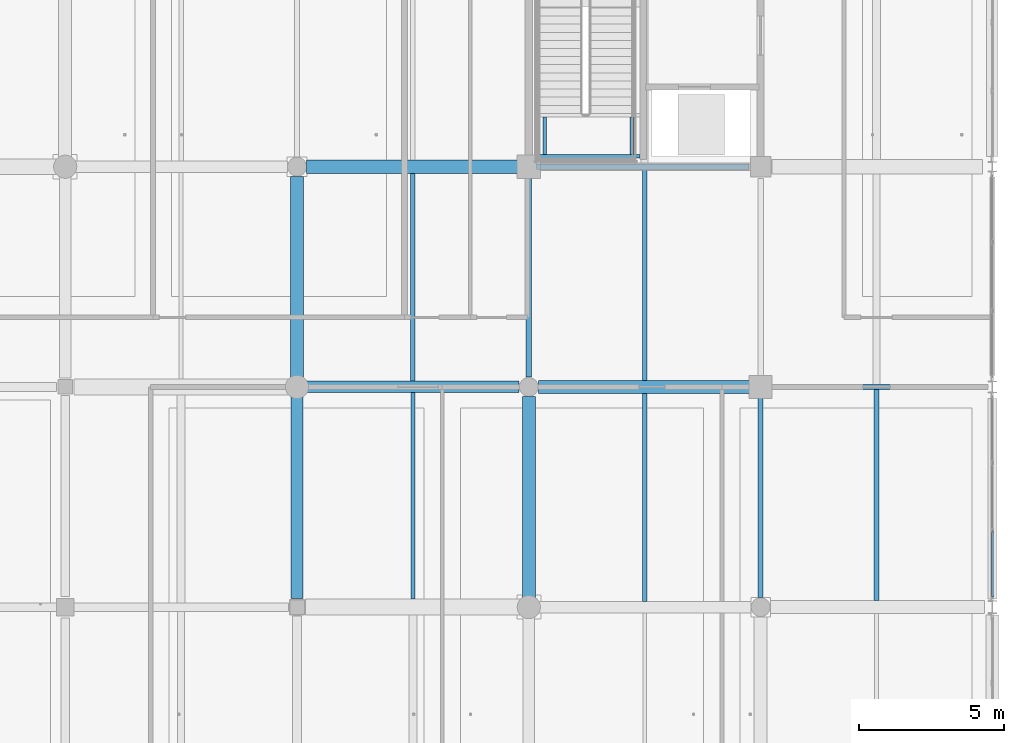
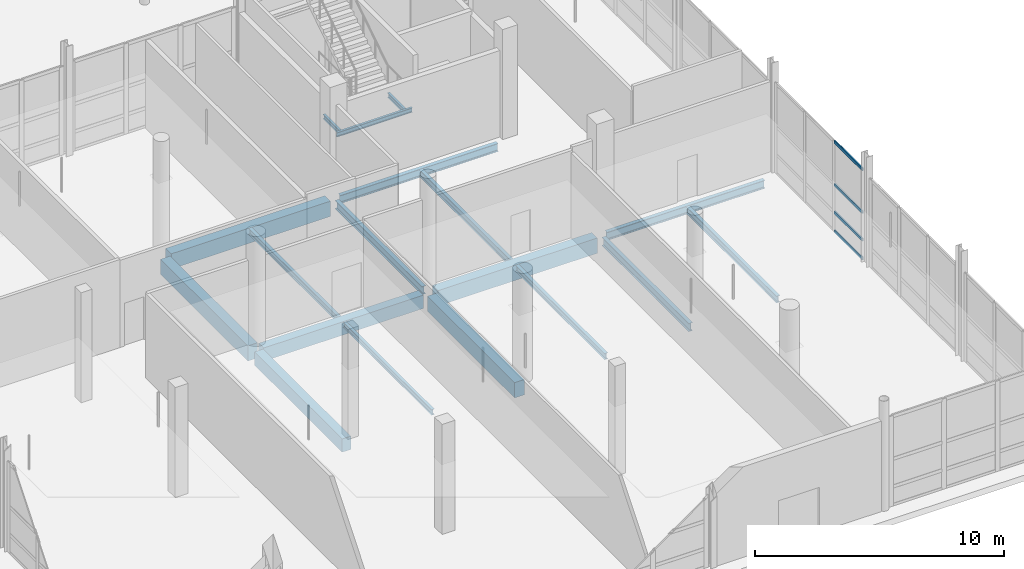
# One storey, part 41 of 126: 18 beams, 4 members, 1 element without a shape of its own.
"""IFC4 building model written with IfcOpenShell, lengths in metres."""

from ifc_helpers import new_model, si_unit, direction, frame, origin, origin_2d, place, context, subcontext, project, spatial, rectangle, hollow_rectangle, i_section, extrude, material, material_profile, profile_set, type_object, element, aggregate, save


model = new_model("IFC4")

# Units and contexts
model_context = context("Model", 3, precision=1e-05, world=origin(), true_north=direction((0.0, 1.0)))
body_context = subcontext(model_context, "Body", "Model", "MODEL_VIEW")
ifc_project = project(units=[si_unit("LENGTHUNIT", "METRE"), si_unit("AREAUNIT", "SQUARE_METRE"), si_unit("VOLUMEUNIT", "CUBIC_METRE"), si_unit("PLANEANGLEUNIT", "RADIAN"), si_unit("MASSUNIT", "GRAM", prefix="KILO")], contexts=[model_context])

# Site, building, storey
site_placement = place(None, origin())
site = spatial("IfcSite", under=ifc_project, at=site_placement, CompositionType="ELEMENT")
building_placement = place(site_placement, origin())
building = spatial("IfcBuilding", under=site, at=building_placement, Name="Khelvaren Railside Concert Hall", CompositionType="ELEMENT")
storey_placement = place(building_placement, origin())
storey = spatial("IfcBuildingStorey", under=building, at=storey_placement, Name="L00", CompositionType="ELEMENT", Elevation=0.0)

# Beams
ifc_material_1 = material(Name="Steel S355", Category="steel")
ifc_material_profile_1 = material_profile(ifc_material_1, i_section(OverallWidth=0.179931640625, OverallDepth=0.39990234375, WebThickness=0.008544921875, FlangeThickness=0.013427734375, FilletRadius=0.02099609375, at=origin_2d()), Name="IPE 400")
ifc_profile_set_1 = profile_set([ifc_material_profile_1], Name="Steel S355")
beam_type_1 = type_object("IfcBeamType", Name="BM29", PredefinedType="BEAM", material=ifc_profile_set_1)
for number, where, z_axis, x_axis, name in (
    (1, (176.27294921875, 22.800048828125, -0.52001953125), (1.0, 0.0, 0.0), (0.0, 1.0, 0.0), "V2 L00 Beam X4.5"),
    (2, (168.27294921875, 30.39990234375, -0.52001953125), (1.0, 0.0, 0.0), (0.0, 1.0, 0.0), "V2 L00 Beam X5.4"),
):
    element("IfcBeam", number, at=place(storey_placement, frame(where, z_axis=z_axis, x_axis=x_axis)), inside=storey, type_object=beam_type_1, Name=name, PredefinedType="BEAM", context=body_context, shape_type="SweptSolid", body=[
        extrude(i_section(OverallWidth=0.179931640625, OverallDepth=0.39990234375, WebThickness=0.008544921875, FlangeThickness=0.013427734375, FilletRadius=0.02099609375, at=origin_2d()), origin(), (0.0, 0.0, 1.0), 7.3271484375),
    ])
beam_1_placement = place(storey_placement, frame((168.0, 23.135986328125, -0.52001953125), z_axis=(0.0, 1.0, 0.0), x_axis=(-1.0, 0.0, 0.0)))
element("IfcBeam", 3, at=beam_1_placement, inside=storey, type_object=beam_type_1, Name="V2 L00 Beam Y4.4", PredefinedType="BEAM", context=body_context, shape_type="SweptSolid", body=[
    extrude(i_section(OverallWidth=0.179931640625, OverallDepth=0.39990234375, WebThickness=0.008544921875, FlangeThickness=0.013427734375, FilletRadius=0.02099609375, at=origin_2d()), origin(), (0.0, 0.0, 1.0), 6.990966796875),
])
beam_2_placement = place(storey_placement, frame((176.0, 15.535888671875, -0.52001953125), z_axis=(0.0, 1.0, 0.0), x_axis=(-1.0, 0.0, 0.0)))
element("IfcBeam", 4, at=beam_2_placement, inside=storey, type_object=beam_type_1, Name="V2 L00 Beam Y5.3", PredefinedType="BEAM", context=body_context, shape_type="SweptSolid", body=[
    extrude(i_section(OverallWidth=0.179931640625, OverallDepth=0.39990234375, WebThickness=0.008544921875, FlangeThickness=0.013427734375, FilletRadius=0.02099609375, at=origin_2d()), origin(), (0.0, 0.0, 1.0), 6.9912109375),
])
ifc_material_2 = material(Name="Concrete C40/50", Category="concrete")
ifc_material_profile_2 = material_profile(ifc_material_2, rectangle(XDim=0.39990234375, YDim=0.64990234375, at=origin_2d()), Name="RCB 400x650")
ifc_profile_set_2 = profile_set([ifc_material_profile_2], Name="Concrete C40/50")
beam_type_2 = type_object("IfcBeamType", Name="BM33", PredefinedType="BEAM", material=ifc_profile_set_2)
beam_3_placement = place(storey_placement, frame((160.25, 22.800048828125, -0.64501953125), z_axis=(1.0, 0.0, 0.0), x_axis=(0.0, 1.0, 0.0)))
element("IfcBeam", 5, at=beam_3_placement, inside=storey, type_object=beam_type_2, Name="V2 L00 Beam X4.3", PredefinedType="BEAM", context=body_context, shape_type="SweptSolid", body=[
    extrude(rectangle(XDim=0.39990234375, YDim=0.64990234375, at=origin_2d()), origin(), (0.0, 0.0, 1.0), 7.4140625),
])
beam_4_placement = place(storey_placement, frame((160.0, 15.5, -0.64501953125), z_axis=(0.0, 1.0, 0.0), x_axis=(-1.0, 0.0, 0.0)))
element("IfcBeam", 6, at=beam_4_placement, inside=storey, type_object=beam_type_2, Name="V2 L00 Beam Y3.3", PredefinedType="BEAM", context=body_context, shape_type="SweptSolid", body=[
    extrude(rectangle(XDim=0.39990234375, YDim=0.64990234375, at=origin_2d()), origin(), (0.0, 0.0, 1.0), 7.050048828125),
])
ifc_material_profile_3 = material_profile(ifc_material_2, rectangle(XDim=0.449951171875, YDim=0.75, at=origin_2d()), Name="RCB 450x750")
ifc_profile_set_3 = profile_set([ifc_material_profile_3], Name="Concrete C40/50")
beam_type_3 = type_object("IfcBeamType", Name="BM83", PredefinedType="BEAM", material=ifc_profile_set_3)
for number, where, z_axis, x_axis, name in (
    (7, (168.3359375, 22.800048828125, -0.695068359375), (1.0, 0.0, 0.0), (0.0, 1.0, 0.0), "V2 L00 Beam X4.4"),
    (8, (160.3359375, 30.39990234375, -0.695068359375), (1.0, 0.0, 0.0), (0.0, 1.0, 0.0), "V2 L00 Beam X5.3"),
):
    element("IfcBeam", number, at=place(storey_placement, frame(where, z_axis=z_axis, x_axis=x_axis)), inside=storey, type_object=beam_type_3, Name=name, PredefinedType="BEAM", context=body_context, shape_type="SweptSolid", body=[
        extrude(rectangle(XDim=0.449951171875, YDim=0.75, at=origin_2d()), origin(), (0.0, 0.0, 1.0), 7.39111328125),
    ])
beam_5_placement = place(storey_placement, frame((160.0, 23.050048828125, -0.695068359375), z_axis=(0.0, 1.0, 0.0), x_axis=(-1.0, 0.0, 0.0)))
element("IfcBeam", 9, at=beam_5_placement, inside=storey, type_object=beam_type_3, Name="V2 L00 Beam Y3.4", PredefinedType="BEAM", context=body_context, shape_type="SweptSolid", body=[
    extrude(rectangle(XDim=0.449951171875, YDim=0.75, at=origin_2d()), origin(), (0.0, 0.0, 1.0), 7.013916015625),
])
beam_6_placement = place(storey_placement, frame((168.0, 15.449951171875, -0.695068359375), z_axis=(0.0, 1.0, 0.0), x_axis=(-1.0, 0.0, 0.0)))
element("IfcBeam", 10, at=beam_6_placement, inside=storey, type_object=beam_type_3, Name="V2 L00 Beam Y4.3", PredefinedType="BEAM", context=body_context, shape_type="SweptSolid", body=[
    extrude(rectangle(XDim=0.449951171875, YDim=0.75, at=origin_2d()), origin(), (0.0, 0.0, 1.0), 7.01416015625),
])
ifc_material_profile_4 = material_profile(ifc_material_1, i_section(OverallWidth=0.110107421875, OverallDepth=0.219970703125, WebThickness=0.005859375, FlangeThickness=0.00927734375, FilletRadius=0.011962890625, at=origin_2d()), Name="IPE 220")
ifc_profile_set_4 = profile_set([ifc_material_profile_4], Name="Steel S355")
beam_type_4 = type_object("IfcBeamType", Name="BM87", PredefinedType="BEAM", material=ifc_profile_set_4)
beam_7_placement = place(storey_placement, frame((168.344970703125, 30.760009765625, 2.389892578125), z_axis=(1.0, 0.0, 0.0), x_axis=(0.0, 1.0, 0.0)))
element("IfcBeam", 11, at=beam_7_placement, inside=storey, type_object=beam_type_4, Name="ST-04 L00 Half-Landing Rear Beam", PredefinedType="BEAM", context=body_context, shape_type="SweptSolid", body=[
    extrude(i_section(OverallWidth=0.110107421875, OverallDepth=0.219970703125, WebThickness=0.005859375, FlangeThickness=0.00927734375, FilletRadius=0.011962890625, at=origin_2d()), origin(), (0.0, 0.0, 1.0), 3.4951171875),
])
for number, where, z_axis, x_axis, name in (
    (12, (168.550048828125, 30.81494140625, 2.389892578125), (0.0, 1.0, 0.0), (-1.0, 0.0, 0.0), "ST-04 L00 Half-Landing Side Tie W"),
    (13, (171.550048828125, 30.81494140625, 2.389892578125), (0.0, 1.0, 0.0), (-1.0, 0.0, 0.0), "ST-04 L00 Half-Landing Side Tie E"),
):
    element("IfcBeam", number, at=place(storey_placement, frame(where, z_axis=z_axis, x_axis=x_axis)), inside=storey, type_object=beam_type_4, Name=name, PredefinedType="BEAM", context=body_context, shape_type="SweptSolid", body=[
        extrude(i_section(OverallWidth=0.110107421875, OverallDepth=0.219970703125, WebThickness=0.005859375, FlangeThickness=0.00927734375, FilletRadius=0.011962890625, at=origin_2d()), origin(), (0.0, 0.0, 1.0), 1.30517578125),
    ])

# Curtain wall, members
ifc_material_3 = material(Name="Double-glazed low-E dark acoustic glass", Category="glass")
curtain_wall_type = type_object("IfcCurtainWallType", Name="CW94", PredefinedType="USERDEFINED", material=ifc_material_3)
curtain_wall_placement = place(storey_placement, origin())
curtain_wall = element("IfcCurtainWall", 14, at=curtain_wall_placement, inside=storey, type_object=curtain_wall_type, Name="Unitised Curtain Wall CW-V2-L00-E-15", ObjectType="UNITISED CURTAIN WALL", PredefinedType="USERDEFINED")
ifc_material_4 = material(Name="Anodised architectural aluminium 6063-T6", Category="aluminium")
ifc_material_profile_5 = material_profile(ifc_material_4, hollow_rectangle(XDim=0.06494140625, YDim=0.139892578125, WallThickness=0.00390625, InnerFilletRadius=0.001953125, OuterFilletRadius=0.00390625, at=origin_2d()), Name="CWT 65x140x4")
ifc_profile_set_5 = profile_set([ifc_material_profile_5], Name="Anodised architectural aluminium 6063-T6")
member_type = type_object("IfcMemberType", Name="CWT72", PredefinedType="USERDEFINED", material=ifc_profile_set_5)
member_1_placement = place(storey_placement, frame((184.0, 17.806640625, 0.032470703125), z_axis=(0.0, -1.0, 0.0), x_axis=(1.0, 0.0, 0.0)))
member_1 = element("IfcMember", 15, at=member_1_placement, type_object=member_type, Name="CW94 transom 3.1", ObjectType="TRANSOM", PredefinedType="USERDEFINED", context=body_context, shape_type="SweptSolid", body=[
    extrude(hollow_rectangle(XDim=0.06494140625, YDim=0.139892578125, WallThickness=0.00390625, InnerFilletRadius=0.001953125, OuterFilletRadius=0.00390625, at=origin_2d()), origin(), (0.0, 0.0, 1.0), 2.2490234375),
])
member_2_placement = place(storey_placement, frame((184.0, 17.806640625, 0.949951171875), z_axis=(0.0, -1.0, 0.0), x_axis=(1.0, 0.0, 0.0)))
member_2 = element("IfcMember", 16, at=member_2_placement, type_object=member_type, Name="CW94 transom 3.2", ObjectType="TRANSOM", PredefinedType="USERDEFINED", context=body_context, shape_type="SweptSolid", body=[
    extrude(hollow_rectangle(XDim=0.06494140625, YDim=0.139892578125, WallThickness=0.00390625, InnerFilletRadius=0.001953125, OuterFilletRadius=0.00390625, at=origin_2d()), origin(), (0.0, 0.0, 1.0), 2.2490234375),
])
member_3_placement = place(storey_placement, frame((184.0, 17.806640625, 2.308837890625), z_axis=(0.0, -1.0, 0.0), x_axis=(1.0, 0.0, 0.0)))
member_3 = element("IfcMember", 17, at=member_3_placement, type_object=member_type, Name="CW94 transom 3.3", ObjectType="TRANSOM", PredefinedType="USERDEFINED", context=body_context, shape_type="SweptSolid", body=[
    extrude(hollow_rectangle(XDim=0.06494140625, YDim=0.139892578125, WallThickness=0.00390625, InnerFilletRadius=0.001953125, OuterFilletRadius=0.00390625, at=origin_2d()), origin(), (0.0, 0.0, 1.0), 2.2490234375),
])
member_4_placement = place(storey_placement, frame((184.0, 17.806640625, 4.407470703125), z_axis=(0.0, -1.0, 0.0), x_axis=(1.0, 0.0, 0.0)))
member_4 = element("IfcMember", 18, at=member_4_placement, type_object=member_type, Name="CW94 transom 3.4", ObjectType="TRANSOM", PredefinedType="USERDEFINED", context=body_context, shape_type="SweptSolid", body=[
    extrude(hollow_rectangle(XDim=0.06494140625, YDim=0.139892578125, WallThickness=0.00390625, InnerFilletRadius=0.001953125, OuterFilletRadius=0.00390625, at=origin_2d()), origin(), (0.0, 0.0, 1.0), 2.2490234375),
])
aggregate(curtain_wall, [member_1, member_2, member_3, member_4])

# Beams
ifc_material_profile_6 = material_profile(ifc_material_1, i_section(OverallWidth=0.14990234375, OverallDepth=0.300048828125, WebThickness=0.007080078125, FlangeThickness=0.0107421875, FilletRadius=0.014892578125, at=origin_2d()), Name="IPE 300")
ifc_profile_set_6 = profile_set([ifc_material_profile_6], Name="Steel S355")
beam_type_5 = type_object("IfcBeamType", Name="JS26", PredefinedType="JOIST", material=ifc_profile_set_6)
for number, where, z_axis, x_axis, name in (
    (19, (164.0, 23.0, -0.469970703125), (0.0, 1.0, 0.0), (-1.0, 0.0, 0.0), "V2 L00 Secondary Joist 3.4"),
    (20, (172.0, 15.39990234375, -0.469970703125), (0.0, 1.0, 0.0), (-1.0, 0.0, 0.0), "V2 L00 Secondary Joist 4.3"),
):
    element("IfcBeam", number, at=place(storey_placement, frame(where, z_axis=z_axis, x_axis=x_axis)), inside=storey, type_object=beam_type_5, Name=name, PredefinedType="JOIST", context=body_context, shape_type="SweptSolid", body=[
        extrude(i_section(OverallWidth=0.14990234375, OverallDepth=0.300048828125, WebThickness=0.007080078125, FlangeThickness=0.0107421875, FilletRadius=0.014892578125, at=origin_2d()), origin(), (0.0, 0.0, 1.0), 7.175048828125),
    ])
ifc_material_profile_7 = material_profile(ifc_material_1, i_section(OverallWidth=0.159912109375, OverallDepth=0.330078125, WebThickness=0.007568359375, FlangeThickness=0.011474609375, FilletRadius=0.01806640625, at=origin_2d()), Name="IPE 330")
ifc_profile_set_7 = profile_set([ifc_material_profile_7], Name="Steel S355")
beam_type_6 = type_object("IfcBeamType", Name="JS65", PredefinedType="JOIST", material=ifc_profile_set_7)
beam_8_placement = place(storey_placement, frame((172.0, 23.02490234375, -0.485107421875), z_axis=(0.0, 1.0, 0.0), x_axis=(-1.0, 0.0, 0.0)))
element("IfcBeam", 21, at=beam_8_placement, inside=storey, type_object=beam_type_6, Name="V2 L00 Secondary Joist 4.4", PredefinedType="JOIST", context=body_context, shape_type="SweptSolid", body=[
    extrude(i_section(OverallWidth=0.159912109375, OverallDepth=0.330078125, WebThickness=0.007568359375, FlangeThickness=0.011474609375, FilletRadius=0.01806640625, at=origin_2d()), origin(), (0.0, 0.0, 1.0), 7.28515625),
])
beam_9_placement = place(storey_placement, frame((180.0, 15.425048828125, -0.485107421875), z_axis=(0.0, 1.0, 0.0), x_axis=(-1.0, 0.0, 0.0)))
element("IfcBeam", 22, at=beam_9_placement, inside=storey, type_object=beam_type_6, Name="V2 L00 Secondary Joist 5.3", PredefinedType="JOIST", context=body_context, shape_type="SweptSolid", body=[
    extrude(i_section(OverallWidth=0.159912109375, OverallDepth=0.330078125, WebThickness=0.007568359375, FlangeThickness=0.011474609375, FilletRadius=0.01806640625, at=origin_2d()), origin(), (0.0, 0.0, 1.0), 7.284912109375),
])
ifc_material_profile_8 = material_profile(ifc_material_1, i_section(OverallWidth=0.135009765625, OverallDepth=0.27001953125, WebThickness=0.006591796875, FlangeThickness=0.01025390625, FilletRadius=0.014892578125, at=origin_2d()), Name="IPE 270")
ifc_profile_set_8 = profile_set([ifc_material_profile_8], Name="Steel S355")
beam_type_7 = type_object("IfcBeamType", Name="JS78", PredefinedType="JOIST", material=ifc_profile_set_8)
beam_10_placement = place(storey_placement, frame((164.0, 15.47509765625, -0.455078125), z_axis=(0.0, 1.0, 0.0), x_axis=(-1.0, 0.0, 0.0)))
element("IfcBeam", 23, at=beam_10_placement, inside=storey, type_object=beam_type_7, Name="V2 L00 Secondary Joist 3.3", PredefinedType="JOIST", context=body_context, shape_type="SweptSolid", body=[
    extrude(i_section(OverallWidth=0.135009765625, OverallDepth=0.27001953125, WebThickness=0.006591796875, FlangeThickness=0.01025390625, FilletRadius=0.014892578125, at=origin_2d()), origin(), (0.0, 0.0, 1.0), 7.125),
])

save(model, "model.ifc")
